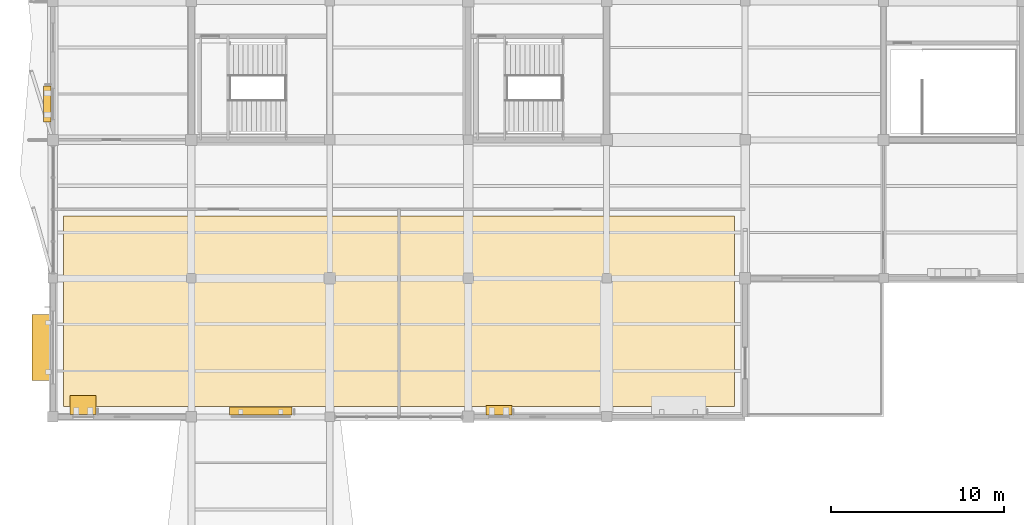
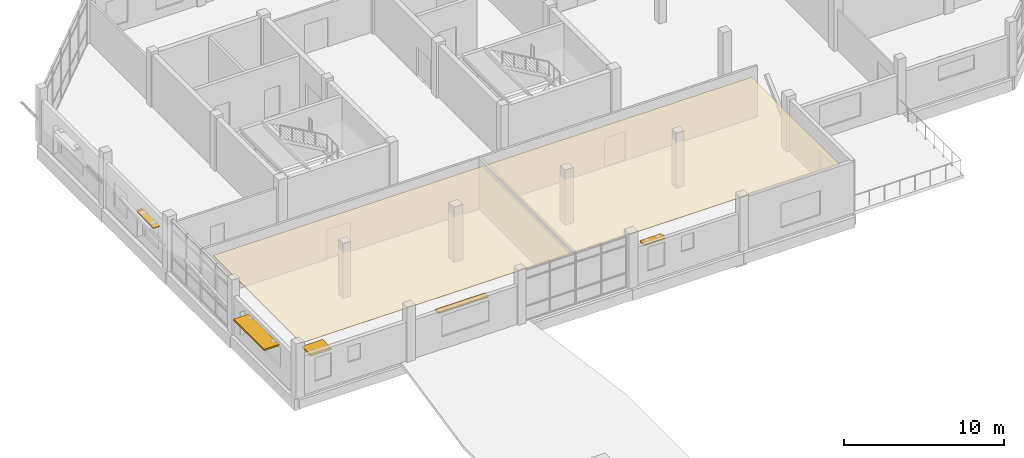
# One storey, part 69 of 72: 5 shading devices, 1 covering.
"""IFC4 building model written with IfcOpenShell, lengths in metres."""

import ifcopenshell
import ifcopenshell.guid

model = None  # the IFC model being written
_history = None  # IfcOwnerHistory: only IFC2X3 demands one
_inside = {}  # id of a spatial element -> (the spatial element, [elements in it])
_under = {}  # id of a project, library or spatial element -> (it, [spatial elements below it])
_declared = {}  # id of a project -> (the project, [libraries it declares])
_typed = {}  # id of a type object -> (the type object, [elements of that type])
_made_of = {}  # id of a material, layer set ... -> (it, [elements and type objects made of it])


def new_model(schema):
    """Start an empty IFC model of exactly this schema.

    Asked for "IFC4X3", IfcOpenShell would pick the latest addendum, in which some entities
    have other attributes; the version numbers below select the first issue.
    IFC2X3 requires an IfcOwnerHistory on every rooted entity: one is made here for all.
    """
    global model, _history
    if schema == "IFC4X3":
        model = ifcopenshell.file(schema_version=(4, 3, 0, 0))
    else:
        model = ifcopenshell.file(schema=schema)
    _inside.clear()
    _under.clear()
    _declared.clear()
    _typed.clear()
    _made_of.clear()
    _history = None
    if model.schema == "IFC2X3":
        org = make("IfcOrganization", Name="unknown")
        user = make(
            "IfcPersonAndOrganization",
            ThePerson=make("IfcPerson", FamilyName="unknown"),
            TheOrganization=org,
        )
        app = make(
            "IfcApplication",
            ApplicationDeveloper=org,
            Version="unknown",
            ApplicationFullName="unknown",
            ApplicationIdentifier="unknown",
        )
        _history = make(
            "IfcOwnerHistory",
            OwningUser=user,
            OwningApplication=app,
            ChangeAction="ADDED",
            CreationDate=0,
        )
    return model


def make(cls, **values):
    """One entity of the class cls with the attributes given. An attribute that is None is left unset."""
    return model.create_entity(
        cls, **{name: value for name, value in values.items() if value is not None}
    )


def rooted(cls, **values):
    """An entity with a GlobalId (a new one), such as an element, a storey or a relation."""
    return make(cls, GlobalId=ifcopenshell.guid.new(), OwnerHistory=_history, **values)


def si_unit(unit_type, name, prefix=None):
    """IfcSIUnit, for example si_unit("LENGTHUNIT", "METRE", prefix="MILLI")."""
    return make("IfcSIUnit", UnitType=unit_type, Prefix=prefix, Name=name)


def assignment(units):
    """IfcUnitAssignment: the units of a project."""
    return None if units is None else make("IfcUnitAssignment", Units=units)


def point(xyz):
    """IfcCartesianPoint."""
    return None if xyz is None else make("IfcCartesianPoint", Coordinates=xyz)


def direction(xyz):
    """IfcDirection."""
    return None if xyz is None else make("IfcDirection", DirectionRatios=xyz)


def frame(location, z_axis=None, x_axis=None):
    """IfcAxis2Placement3D, a coordinate frame: its origin and axes. An axis left out is left unset."""
    return make(
        "IfcAxis2Placement3D",
        Location=point(location),
        Axis=direction(z_axis),
        RefDirection=direction(x_axis),
    )


def frame_2d(location, x_axis=None):
    """IfcAxis2Placement2D, a coordinate frame in the plane: its origin and x axis."""
    return make(
        "IfcAxis2Placement2D", Location=point(location), RefDirection=direction(x_axis)
    )


def origin():
    """The frame at (0, 0, 0) with its axes left unset."""
    return frame((0.0, 0.0, 0.0))


def origin_2d():
    """The frame at (0, 0) in the plane with its x axis left unset."""
    return frame_2d((0.0, 0.0))


def place(relative_to, where):
    """IfcLocalPlacement: puts the frame where relative to a parent placement (None: the world)."""
    return make(
        "IfcLocalPlacement", PlacementRelTo=relative_to, RelativePlacement=where
    )


def context(
    kind, dimensions, precision=None, world=None, true_north=None, identifier=None
):
    """IfcGeometricRepresentationContext, for example the 3D "Model" context."""
    return make(
        "IfcGeometricRepresentationContext",
        ContextIdentifier=identifier,
        ContextType=kind,
        CoordinateSpaceDimension=dimensions,
        Precision=precision,
        WorldCoordinateSystem=world,
        TrueNorth=true_north,
    )


def subcontext(parent, identifier, kind, view, scale=None):
    """IfcGeometricRepresentationSubContext, for example "Body" below "Model"."""
    return make(
        "IfcGeometricRepresentationSubContext",
        ContextIdentifier=identifier,
        ContextType=kind,
        ParentContext=parent,
        TargetScale=scale,
        TargetView=view,
    )


def project(units=None, contexts=None):
    """IfcProject with its units and contexts."""
    return rooted(
        "IfcProject",
        Name="project",
        RepresentationContexts=contexts,
        UnitsInContext=assignment(units),
    )


def spatial(cls, under=None, at=None, **own):
    """A site, building, storey or space (cls), placed at a placement, below another one or the project."""
    s = rooted(cls, ObjectPlacement=at, **own)
    if under is not None:
        _under.setdefault(under.id(), (under, []))[1].append(s)
    return s


def polyline(points):
    """IfcPolyline through the points."""
    return make("IfcPolyline", Points=[point(p) for p in points])


def profile(cls, at=None, kind="AREA", **sizes):
    """A parametric profile (cls). Its sizes go by their IFC names, for example OverallWidth=200.0."""
    return make(cls, ProfileType=kind, Position=at, **sizes)


def rectangle(**sizes):
    """IfcRectangleProfileDef."""
    return profile("IfcRectangleProfileDef", **sizes)


def outline(outer, holes=None, kind="AREA"):
    """IfcArbitraryClosedProfileDef: a profile drawn as a closed curve; with holes, ...WithVoids."""
    if holes is None:
        return make("IfcArbitraryClosedProfileDef", ProfileType=kind, OuterCurve=outer)
    return make(
        "IfcArbitraryProfileDefWithVoids",
        ProfileType=kind,
        OuterCurve=outer,
        InnerCurves=holes,
    )


def extrude(swept, where, along, depth):
    """IfcExtrudedAreaSolid: the profile swept, set in the frame where, extruded along a direction by depth."""
    return make(
        "IfcExtrudedAreaSolid",
        SweptArea=swept,
        Position=where,
        ExtrudedDirection=direction(along),
        Depth=depth,
    )


def shape(context_of_items, identifier, shape_type, items):
    """IfcShapeRepresentation: the items that make up one representation, for example the "Body"."""
    return make(
        "IfcShapeRepresentation",
        ContextOfItems=context_of_items,
        RepresentationIdentifier=identifier,
        RepresentationType=shape_type,
        Items=items,
    )


def material(Name=None, Category=None):
    """IfcMaterial."""
    return make("IfcMaterial", Name=Name, Category=Category)


def layer(
    of_material, thickness, ventilated=None, Name=None, Category=None, Priority=None
):
    """IfcMaterialLayer: one layer of a wall or slab, of a material (None: an air gap)."""
    return make(
        "IfcMaterialLayer",
        Material=of_material,
        LayerThickness=thickness,
        IsVentilated=ventilated,
        Name=Name,
        Category=Category,
        Priority=Priority,
    )


def layer_set(layers, Name=None):
    """IfcMaterialLayerSet."""
    return make("IfcMaterialLayerSet", MaterialLayers=layers, LayerSetName=Name)


def made_of(thing, what):
    """Note that an element or type object is made of a material, layer set ...; save() writes the relation."""
    if what is not None:
        _made_of.setdefault(what.id(), (what, []))[1].append(thing)
    return thing


def type_object(cls, material=None, **own):
    """A type object (cls), such as IfcWallType, which elements share."""
    return made_of(rooted(cls, **own), material)


def element(
    cls,
    number,
    at=None,
    inside=None,
    cuts=None,
    type_object=None,
    material=None,
    context=None,
    identifier="Body",
    shape_type=None,
    held_by="IfcProductDefinitionShape",
    body=None,
    shapes=None,
    **own,
):
    """One element of the class cls, such as IfcWall. Its Tag is "e" and its number.

    at: its placement. inside: the storey or other place that contains it. cuts: it is an
    opening in that element (IfcRelVoidsElement). A single representation is given by context,
    identifier, shape_type and body (its items); several are given by shapes. held_by: the class
    of the entity that holds the representations. save() writes the other relations.
    """
    e = rooted(cls, Tag="e%d" % number, ObjectPlacement=at, **own)
    if body is not None:
        shapes = [shape(context, identifier, shape_type, body)]
    if shapes is not None:
        e.Representation = make(held_by, Representations=shapes)
    if inside is not None:
        _inside.setdefault(inside.id(), (inside, []))[1].append(e)
    if cuts is not None:
        rooted(
            "IfcRelVoidsElement", RelatingBuildingElement=cuts, RelatedOpeningElement=e
        )
    if type_object is not None:
        _typed.setdefault(type_object.id(), (type_object, []))[1].append(e)
    return made_of(e, material)


def aggregate(whole, parts):
    """IfcRelAggregates: a whole, such as a stair, and the parts it consists of."""
    return rooted("IfcRelAggregates", RelatingObject=whole, RelatedObjects=parts)


def save(model, path):
    """Write the relations noted so far, then the file.

    IfcRelAggregates (storeys below a building ...), IfcRelContainedInSpatialStructure (elements
    in a storey), IfcRelDefinesByType, IfcRelAssociatesMaterial and IfcRelDeclares: one each for
    every whole, place, type object, material and project.
    """
    for whole, parts in _under.values():
        aggregate(whole, parts)
    for where, things in _inside.values():
        rooted(
            "IfcRelContainedInSpatialStructure",
            RelatedElements=things,
            RelatingStructure=where,
        )
    for kind, things in _typed.values():
        rooted("IfcRelDefinesByType", RelatedObjects=things, RelatingType=kind)
    for what, things in _made_of.values():
        rooted("IfcRelAssociatesMaterial", RelatedObjects=things, RelatingMaterial=what)
    for by, libraries in _declared.values():
        rooted("IfcRelDeclares", RelatingContext=by, RelatedDefinitions=libraries)
    model.write(path)


model = new_model("IFC4")

# Units and contexts
model_context = context("Model", 3, precision=1e-05, world=origin(), true_north=direction((0.0, 1.0)))
body_context = subcontext(model_context, "Body", "Model", "MODEL_VIEW")
ifc_project = project(units=[si_unit("LENGTHUNIT", "METRE"), si_unit("AREAUNIT", "SQUARE_METRE"), si_unit("VOLUMEUNIT", "CUBIC_METRE"), si_unit("PLANEANGLEUNIT", "RADIAN"), si_unit("MASSUNIT", "GRAM", prefix="KILO")], contexts=[model_context])

# Site, building, storey
site_placement = place(None, origin())
site = spatial("IfcSite", under=ifc_project, at=site_placement, CompositionType="ELEMENT")
building_placement = place(site_placement, origin())
building = spatial("IfcBuilding", under=site, at=building_placement, Name="Tenunan Teduh Sports Hall", CompositionType="ELEMENT")
storey_placement = place(building_placement, frame((0.0, 0.0, 15.0)))
storey = spatial("IfcBuildingStorey", under=building, at=storey_placement, Name="L03", CompositionType="ELEMENT", Elevation=15.0)

# Covering
ifc_material_1 = material(Name="Perforated mineral-fibre acoustic ceiling")
ifc_layer = layer(ifc_material_1, 0.0400390625)
ifc_layer_set = layer_set([ifc_layer], Name="Perforated mineral-fibre acoustic ceiling")
covering_type = type_object("IfcCoveringType", Name="COV-CLG-AC", PredefinedType="CEILING", material=ifc_layer_set)
covering_placement = place(storey_placement, frame((0.0, 0.0, 3.39990234375)))
element("IfcCovering", 1, at=covering_placement, inside=storey, type_object=covering_type, Name="COV-CLG-L03W", PredefinedType="CEILING", context=body_context, shape_type="SweptSolid", body=[
    extrude(outline(polyline([(6.60009765625, 78.60009765625), (45.39990234375, 78.60009765625), (45.39990234375, 89.60009765625), (6.60009765625, 89.60009765625), (6.60009765625, 78.60009765625)])), origin(), (0.0, 0.0, 1.0), 0.0400390625),
])

# Shading devices
ifc_material_2 = material(Name="Perforated anodised aluminium", Category="aluminium")
shading_device_type_1 = type_object("IfcShadingDeviceType", Name="SHD-LOUVRE-1", PredefinedType="AWNING", material=ifc_material_2)
shading_device_1_placement = place(storey_placement, frame((18.010009765625, 78.340087890625, 2.570068359375), z_axis=(0.0, 0.0, 1.0), x_axis=(1.0, 0.0, 0.0)))
element("IfcShadingDevice", 2, at=shading_device_1_placement, inside=storey, type_object=shading_device_type_1, Name="SHD-L03-054", PredefinedType="AWNING", context=body_context, shape_type="SweptSolid", body=[
    extrude(rectangle(XDim=3.60009765625, YDim=0.449951171875, at=origin_2d()), origin(), (0.0, 0.0, 1.0), 0.080078125),
])
shading_device_2_placement = place(storey_placement, frame((5.675048828125, 96.074951171875, 2.570068359375), z_axis=(0.0, 0.0, 1.0), x_axis=(0.0, 1.0, 0.0)))
element("IfcShadingDevice", 3, at=shading_device_2_placement, inside=storey, type_object=shading_device_type_1, Name="SHD-L03-063", PredefinedType="AWNING", context=body_context, shape_type="SweptSolid", body=[
    extrude(rectangle(XDim=2.10009765625, YDim=0.449951171875, at=origin_2d()), origin(), (0.0, 0.0, 1.0), 0.080078125),
])
ifc_material_3 = material(Name="Perforated anodised aluminium", Category="aluminium")
shading_device_type_2 = type_object("IfcShadingDeviceType", Name="SHD-LOUVRE-2", PredefinedType="SHUTTER", material=ifc_material_3)
shading_device_3_placement = place(storey_placement, frame((31.77490234375, 78.375, 2.56494140625), z_axis=(0.0, 0.0, 1.0), x_axis=(1.0, 0.0, 0.0)))
element("IfcShadingDevice", 4, at=shading_device_3_placement, inside=storey, type_object=shading_device_type_2, Name="SHD-L03-055", PredefinedType="SHUTTER", context=body_context, shape_type="SweptSolid", body=[
    extrude(rectangle(XDim=1.5, YDim=0.550048828125, at=origin_2d()), origin(), (0.0, 0.0, 1.0), 0.090087890625),
])
ifc_material_4 = material(Name="Perforated anodised aluminium", Category="aluminium")
shading_device_type_3 = type_object("IfcShadingDeviceType", Name="SHD-SUNSHADE-1", PredefinedType="JALOUSIE", material=ifc_material_4)
shading_device_4_placement = place(storey_placement, frame((7.75, 78.669921875, 2.550048828125), z_axis=(0.0, 0.0, 1.0), x_axis=(1.0, 0.0, 0.0)))
element("IfcShadingDevice", 5, at=shading_device_4_placement, inside=storey, type_object=shading_device_type_3, Name="SHD-L03-053", PredefinedType="JALOUSIE", context=body_context, shape_type="SweptSolid", body=[
    extrude(rectangle(XDim=1.5, YDim=1.10009765625, at=origin_2d()), origin(), (0.0, 0.0, 1.0), 0.1201171875),
])
shading_device_5_placement = place(storey_placement, frame((5.3349609375, 82.010009765625, 2.550048828125), z_axis=(0.0, 0.0, 1.0), x_axis=(0.0, 1.0, 0.0)))
element("IfcShadingDevice", 6, at=shading_device_5_placement, inside=storey, type_object=shading_device_type_3, Name="SHD-L03-062", PredefinedType="JALOUSIE", context=body_context, shape_type="SweptSolid", body=[
    extrude(rectangle(XDim=3.800048828125, YDim=1.10009765625, at=origin_2d()), origin(), (0.0, 0.0, 1.0), 0.1201171875),
])

save(model, "model.ifc")
